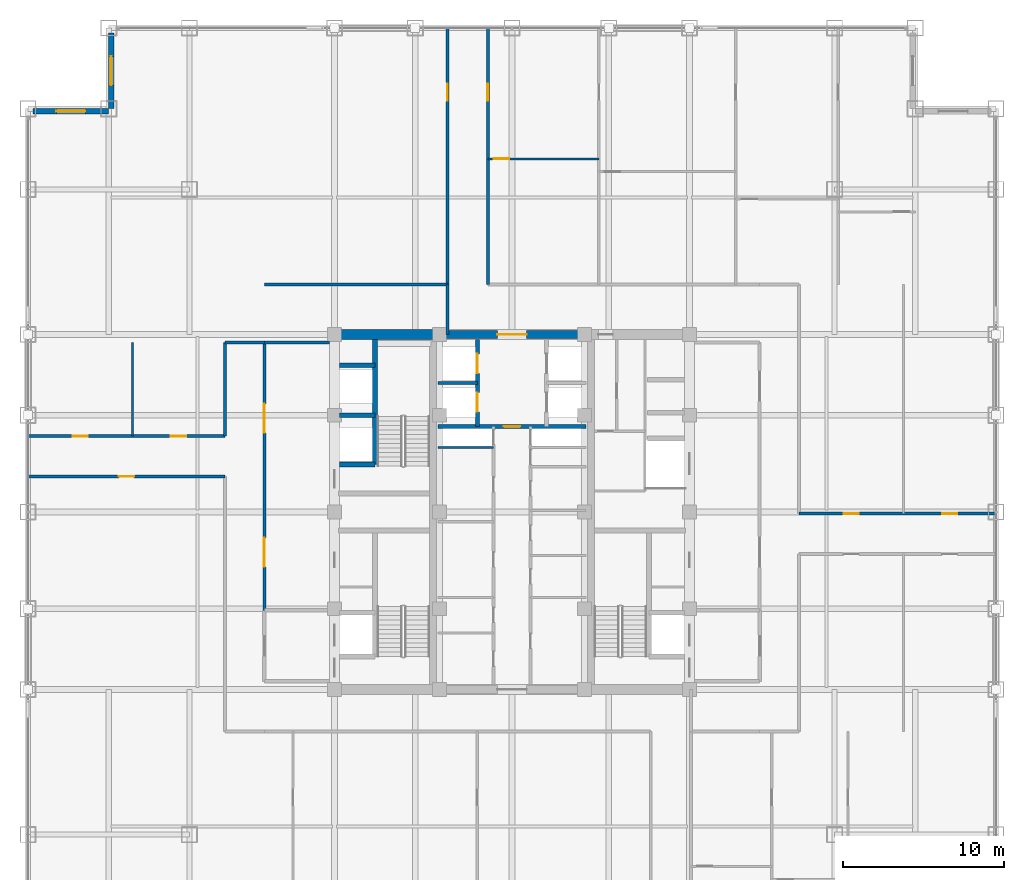
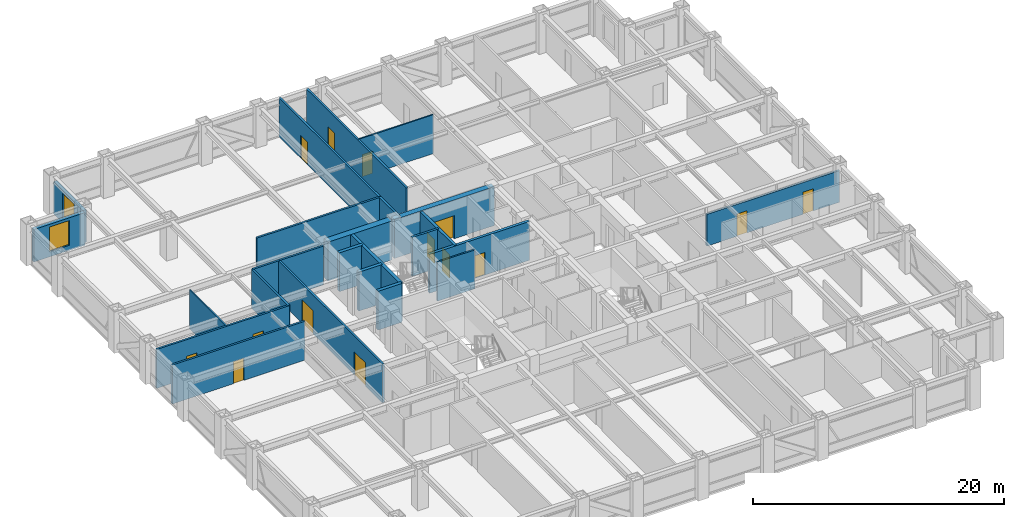
# One storey, part 22 of 25: 25 walls, 14 doors, 2 windows, 16 openings.
"""IFC4 building model written with IfcOpenShell, lengths in metres."""

from ifc_helpers import new_model, si_unit, direction, frame, frame_2d, origin, place, context, subcontext, project, spatial, rectangle, extrude, source, transform, mapped, material, layer, layer_set, type_object, element, fill, save


model = new_model("IFC4")

# Units and contexts
model_context = context("Model", 3, precision=1e-05, world=origin(), true_north=direction((0.0, 1.0)))
body_context = subcontext(model_context, "Body", "Model", "MODEL_VIEW")
ifc_project = project(units=[si_unit("LENGTHUNIT", "METRE"), si_unit("AREAUNIT", "SQUARE_METRE"), si_unit("VOLUMEUNIT", "CUBIC_METRE"), si_unit("PLANEANGLEUNIT", "RADIAN"), si_unit("MASSUNIT", "GRAM", prefix="KILO")], contexts=[model_context])

# Site, building, storey
site_placement = place(None, origin())
site = spatial("IfcSite", under=ifc_project, at=site_placement, CompositionType="ELEMENT")
building_placement = place(site_placement, origin())
building = spatial("IfcBuilding", under=site, at=building_placement, Name="Khorayat Bourse Tower", CompositionType="ELEMENT")
storey_placement = place(building_placement, frame((0.0, 0.0, 251.10009765625)))
storey = spatial("IfcBuildingStorey", under=building, at=storey_placement, Name="L59", CompositionType="ELEMENT", Elevation=251.10009765625)

# Wall, opening, door
ifc_material_1 = material(Name="Concrete C52/65", Category="concrete")
ifc_layer_1 = layer(ifc_material_1, 0.5)
ifc_layer_set_1 = layer_set([ifc_layer_1], Name="Concrete C52/65")
wall_type_1 = type_object("IfcWallType", Name="WAL-CORE-500", PredefinedType="SHEAR", material=ifc_layer_set_1)
shared_shape_1 = source(origin(), body_context, "Body", "SweptSolid", [
    extrude(rectangle(XDim=9.2001953125, YDim=0.5, at=frame_2d((4.60009765625, 0.0))), origin(), (0.0, 0.0, 1.0), 3.77978515625),
])
wall_1_placement = place(storey_placement, frame((-4.60009765625, 11.0, 0.0), z_axis=(0.0, 0.0, 1.0), x_axis=(1.0, 0.0, 0.0)))
wall_1 = element("IfcWall", 1, at=wall_1_placement, inside=storey, type_object=wall_type_1, Name="L59 Core Shear Wall CORE-N", PredefinedType="SHEAR", context=body_context, shape_type="MappedRepresentation", body=[
    mapped(shared_shape_1, transform((0.0, 0.0, 0.0), scale=1.0)),
])
shared_shape_2 = source(origin(), body_context, "Body", "SweptSolid", [
    extrude(rectangle(XDim=1.800048828125, YDim=2.25, at=frame_2d((0.89990234375, 1.125))), frame((0.0, 0.260009765625, 0.0), z_axis=(0.0, -1.0, 0.0), x_axis=(1.0, 0.0, 0.0)), (0.0, 0.0, 1.0), 0.52001953125),
])
opening_1_placement = place(wall_1_placement, frame((3.699951171875, 0.0, 0.0)))
opening_1 = element("IfcOpeningElement", 2, at=opening_1_placement, cuts=wall_1, Name="Opening DI-03", PredefinedType="OPENING", context=body_context, shape_type="MappedRepresentation", body=[
    mapped(shared_shape_2, transform((0.0, 0.0, 0.0), scale=1.0)),
])
ifc_material_2 = material(Name="Fire-rated hardwood vision-panel double leaf", Category="wood")
door_type_1 = type_object("IfcDoorType", Name="DR-INT-CORR-1800", OperationType="NOTDEFINED", PredefinedType="DOOR", material=ifc_material_2)
shared_shape_3 = source(origin(), body_context, "Body", "SweptSolid", [
    extrude(rectangle(XDim=1.800048828125, YDim=2.25, at=frame_2d((0.89990234375, 1.125))), frame((0.0, 0.02490234375, 0.0), z_axis=(0.0, -1.0, 0.0), x_axis=(1.0, 0.0, 0.0)), (0.0, 0.0, 1.0), 0.050048828125),
])
door_1_placement = place(opening_1_placement, origin())
door_1 = element("IfcDoor", 3, at=door_1_placement, inside=storey, type_object=door_type_1, Name="L59 Mid-Rise Lift Lobby Door", OperationType="SINGLE_SWING_RIGHT", OverallHeight=2.25, OverallWidth=1.800048828125, PredefinedType="DOOR", context=body_context, shape_type="MappedRepresentation", body=[
    mapped(shared_shape_3, transform((0.0, 0.0, 0.0), scale=1.0)),
])
fill(opening_1, door_1)

# Wall
ifc_material_3 = material(Name="Concrete C60/75", Category="concrete")
ifc_layer_2 = layer(ifc_material_3, 0.60009765625)
ifc_layer_set_2 = layer_set([ifc_layer_2], Name="Concrete C60/75")
wall_type_2 = type_object("IfcWallType", Name="WAL-CORE-600", PredefinedType="SHEAR", material=ifc_layer_set_2)
shared_shape_4 = source(origin(), body_context, "Body", "SweptSolid", [
    extrude(rectangle(XDim=5.89990234375, YDim=0.60009765625, at=frame_2d((2.949951171875, 0.0))), origin(), (0.0, 0.0, 1.0), 3.77978515625),
])
wall_2_placement = place(storey_placement, frame((-10.75, 11.0, 0.0), z_axis=(0.0, 0.0, 1.0), x_axis=(1.0, 0.0, 0.0)))
element("IfcWall", 4, at=wall_2_placement, inside=storey, type_object=wall_type_2, Name="L59 Core Shear Wall PIER-WN", PredefinedType="SHEAR", context=body_context, shape_type="MappedRepresentation", body=[
    mapped(shared_shape_4, transform((0.0, 0.0, 0.0), scale=1.0)),
])

# Wall, opening, window
ifc_material_4 = material(Name="Precast concrete C45/55", Category="concrete")
ifc_layer_3 = layer(ifc_material_4, 0.320068359375)
ifc_layer_set_3 = layer_set([ifc_layer_3], Name="Precast concrete C45/55")
wall_type_3 = type_object("IfcWallType", Name="WAL-EXT-STONE-320", PredefinedType="STANDARD", material=ifc_layer_set_3)
shared_shape_5 = source(origin(), body_context, "Body", "SweptSolid", [
    extrude(rectangle(XDim=4.679931640625, YDim=0.320068359375, at=frame_2d((2.33984375, 0.0))), origin(), (0.0, 0.0, 1.0), 3.163818359375),
])
wall_3_placement = place(storey_placement, frame((-24.840087890625, 25.0, 0.0), z_axis=(0.0, 0.0, 1.0), x_axis=(0.0, 1.0, 0.0)))
wall_3 = element("IfcWall", 5, at=wall_3_placement, inside=storey, type_object=wall_type_3, Name="L59 Re-Entrant Notch Limestone Wall NW-V", PredefinedType="STANDARD", context=body_context, shape_type="MappedRepresentation", body=[
    mapped(shared_shape_5, transform((0.0, 0.0, 0.0), scale=1.0)),
])
shared_shape_6 = source(origin(), body_context, "Body", "SweptSolid", [
    extrude(rectangle(XDim=1.800048828125, YDim=2.39990234375, at=frame_2d((0.89990234375, 1.199951171875))), frame((0.0, 0.169921875, 0.0), z_axis=(0.0, -1.0, 0.0), x_axis=(1.0, 0.0, 0.0)), (0.0, 0.0, 1.0), 0.340087890625),
])
opening_2_placement = place(wall_3_placement, frame((1.43994140625, 0.0, 0.5)))
opening_2 = element("IfcOpeningElement", 6, at=opening_2_placement, cuts=wall_3, Name="Opening WN-04", PredefinedType="OPENING", context=body_context, shape_type="MappedRepresentation", body=[
    mapped(shared_shape_6, transform((0.0, 0.0, 0.0), scale=1.0)),
])
ifc_material_5 = material(Name="Low-E acoustic laminated double glazing", Category="glass")
window_type = type_object("IfcWindowType", Name="WIN-NOTCH-1800x2400", PartitioningType="SINGLE_PANEL", PredefinedType="WINDOW", material=ifc_material_5)
shared_shape_7 = source(origin(), body_context, "Body", "SweptSolid", [
    extrude(rectangle(XDim=1.800048828125, YDim=2.39990234375, at=frame_2d((0.89990234375, 1.199951171875))), frame((0.0, 0.030029296875, 0.0), z_axis=(0.0, -1.0, 0.0), x_axis=(1.0, 0.0, 0.0)), (0.0, 0.0, 1.0), 0.06005859375),
])
window_1_placement = place(opening_2_placement, origin())
window_1 = element("IfcWindow", 7, at=window_1_placement, inside=storey, type_object=window_type, Name="L59 Facade Window 1", OverallHeight=2.39990234375, OverallWidth=1.800048828125, PartitioningType="SINGLE_PANEL", PredefinedType="WINDOW", context=body_context, shape_type="MappedRepresentation", body=[
    mapped(shared_shape_7, transform((0.0, 0.0, 0.0), scale=1.0)),
])
fill(opening_2, window_1)

wall_4_placement = place(storey_placement, frame((-25.0, 24.840087890625, 0.0), z_axis=(0.0, 0.0, 1.0), x_axis=(-1.0, 0.0, 0.0)))
wall_4 = element("IfcWall", 8, at=wall_4_placement, inside=storey, type_object=wall_type_3, Name="L59 Re-Entrant Notch Limestone Wall NW-H", PredefinedType="STANDARD", context=body_context, shape_type="MappedRepresentation", body=[
    mapped(shared_shape_5, transform((0.0, 0.0, 0.0), scale=1.0)),
])
opening_3_placement = place(wall_4_placement, frame((1.43994140625, 0.0, 0.5)))
opening_3 = element("IfcOpeningElement", 9, at=opening_3_placement, cuts=wall_4, Name="Opening WN-04", PredefinedType="OPENING", context=body_context, shape_type="MappedRepresentation", body=[
    mapped(shared_shape_6, transform((0.0, 0.0, 0.0), scale=1.0)),
])
window_2_placement = place(opening_3_placement, origin())
window_2 = element("IfcWindow", 10, at=window_2_placement, inside=storey, type_object=window_type, Name="L59 Facade Window 1", OverallHeight=2.39990234375, OverallWidth=1.800048828125, PartitioningType="SINGLE_PANEL", PredefinedType="WINDOW", context=body_context, shape_type="MappedRepresentation", body=[
    mapped(shared_shape_7, transform((0.0, 0.0, 0.0), scale=1.0)),
])
fill(opening_3, window_2)

# Walls
ifc_material_6 = material(Name="Concrete C50/60", Category="concrete")
ifc_layer_4 = layer(ifc_material_6, 0.300048828125)
ifc_layer_set_4 = layer_set([ifc_layer_4], Name="Concrete C50/60")
wall_type_4 = type_object("IfcWallType", Name="WAL-SHAFT-300", PredefinedType="SHEAR", material=ifc_layer_set_4)
shared_shape_8 = source(origin(), body_context, "Body", "SweptSolid", [
    extrude(rectangle(XDim=2.199951171875, YDim=0.300048828125, at=frame_2d((1.10009765625, 0.0))), origin(), (0.0, 0.0, 1.0), 3.77978515625),
])
for number, where, z_axis, x_axis, name in (
    (11, (-10.699951171875, 2.949951171875, 0.0), (0.0, 0.0, 1.0), (1.0, 0.0, 0.0), "L59 Partition WAL-L59-WPIER-H1S"),
    (12, (-10.699951171875, 6.0, 0.0), (0.0, 0.0, 1.0), (1.0, 0.0, 0.0), "L59 Partition WAL-L59-WPIER-H12"),
    (13, (-10.699951171875, 9.10009765625, 0.0), (0.0, 0.0, 1.0), (1.0, 0.0, 0.0), "L59 Partition WAL-L59-WPIER-H2N"),
):
    element("IfcWall", number, at=place(storey_placement, frame(where, z_axis=z_axis, x_axis=x_axis)), inside=storey, type_object=wall_type_4, Name=name, PredefinedType="SHEAR", context=body_context, shape_type="MappedRepresentation", body=[
        mapped(shared_shape_8, transform((0.0, 0.0, 0.0), scale=1.0)),
    ])
shared_shape_9 = source(origin(), body_context, "Body", "SweptSolid", [
    extrude(rectangle(XDim=7.75, YDim=0.300048828125, at=frame_2d((3.875, 0.0))), origin(), (0.0, 0.0, 1.0), 3.77978515625),
])
wall_5_placement = place(storey_placement, frame((-8.5, 2.949951171875, 0.0), z_axis=(0.0, 0.0, 1.0), x_axis=(0.0, 1.0, 0.0)))
element("IfcWall", 14, at=wall_5_placement, inside=storey, type_object=wall_type_4, Name="L59 Partition WAL-L59-WPIER-ST2S", PredefinedType="SHEAR", context=body_context, shape_type="MappedRepresentation", body=[
    mapped(shared_shape_9, transform((0.0, 0.0, 0.0), scale=1.0)),
])
ifc_material_7 = material(Name="Gypsum plasterboard acoustic stud wall")
ifc_layer_5 = layer(ifc_material_7, 0.179931640625)
ifc_layer_set_5 = layer_set([ifc_layer_5], Name="Gypsum plasterboard acoustic stud wall")
wall_type_5 = type_object("IfcWallType", Name="WAL-PART-CORR-180", PredefinedType="PARTITIONING", material=ifc_layer_set_5)
shared_shape_10 = source(origin(), body_context, "Body", "SweptSolid", [
    extrude(rectangle(XDim=4.050048828125, YDim=0.179931640625, at=frame_2d((2.02490234375, 0.0))), origin(), (0.0, 0.0, 1.0), 3.77978515625),
])
wall_6_placement = place(storey_placement, frame((-15.35009765625, 10.5, 0.0), z_axis=(0.0, 0.0, 1.0), x_axis=(1.0, 0.0, 0.0)))
element("IfcWall", 15, at=wall_6_placement, inside=storey, type_object=wall_type_5, Name="L59 Partition WAL-L59-WLOB-N", PredefinedType="PARTITIONING", context=body_context, shape_type="MappedRepresentation", body=[
    mapped(shared_shape_10, transform((0.0, 0.0, 0.0), scale=1.0)),
])

# Wall, openings, doors
shared_shape_11 = source(origin(), body_context, "Body", "SweptSolid", [
    extrude(rectangle(XDim=16.60009765625, YDim=0.179931640625, at=frame_2d((8.300048828125, 0.0))), origin(), (0.0, 0.0, 1.0), 3.77978515625),
])
wall_7_placement = place(storey_placement, frame((-15.35009765625, -6.10009765625, 0.0), z_axis=(0.0, 0.0, 1.0), x_axis=(0.0, 1.0, 0.0)))
wall_7 = element("IfcWall", 16, at=wall_7_placement, inside=storey, type_object=wall_type_5, Name="L59 Partition WAL-L59-WLOB-W", PredefinedType="PARTITIONING", context=body_context, shape_type="MappedRepresentation", body=[
    mapped(shared_shape_11, transform((0.0, 0.0, 0.0), scale=1.0)),
])
shared_shape_12 = source(origin(), body_context, "Body", "SweptSolid", [
    extrude(rectangle(XDim=1.800048828125, YDim=2.25, at=frame_2d((0.89990234375, 1.125))), frame((0.0, 0.099853515625, 0.0), z_axis=(0.0, -1.0, 0.0), x_axis=(1.0, 0.0, 0.0)), (0.0, 0.0, 1.0), 0.199951171875),
])
opening_4_placement = place(wall_7_placement, frame((2.699951171875, 0.0, 0.0)))
opening_4 = element("IfcOpeningElement", 17, at=opening_4_placement, cuts=wall_7, Name="Opening DI-03", PredefinedType="OPENING", context=body_context, shape_type="MappedRepresentation", body=[
    mapped(shared_shape_12, transform((0.0, 0.0, 0.0), scale=1.0)),
])
opening_5_placement = place(wall_7_placement, frame((11.0, 0.0, 0.0)))
opening_5 = element("IfcOpeningElement", 18, at=opening_5_placement, cuts=wall_7, Name="Opening DI-03", PredefinedType="OPENING", context=body_context, shape_type="MappedRepresentation", body=[
    mapped(shared_shape_12, transform((0.0, 0.0, 0.0), scale=1.0)),
])
door_2_placement = place(opening_4_placement, origin())
door_2 = element("IfcDoor", 19, at=door_2_placement, inside=storey, type_object=door_type_1, Name="L59 West Core Lobby South Door", OperationType="SINGLE_SWING_LEFT", OverallHeight=2.25, OverallWidth=1.800048828125, PredefinedType="DOOR", context=body_context, shape_type="MappedRepresentation", body=[
    mapped(shared_shape_3, transform((0.0, 0.0, 0.0), scale=1.0)),
])
fill(opening_4, door_2)
door_3_placement = place(opening_5_placement, origin())
door_3 = element("IfcDoor", 20, at=door_3_placement, inside=storey, type_object=door_type_1, Name="L59 West Core Lobby North Door", OperationType="SINGLE_SWING_RIGHT", OverallHeight=2.25, OverallWidth=1.800048828125, PredefinedType="DOOR", context=body_context, shape_type="MappedRepresentation", body=[
    mapped(shared_shape_3, transform((0.0, 0.0, 0.0), scale=1.0)),
])
fill(opening_5, door_3)

# Wall
ifc_material_8 = material(Name="Gypsum plasterboard twin-frame partition")
ifc_layer_6 = layer(ifc_material_8, 0.14990234375)
ifc_layer_set_6 = layer_set([ifc_layer_6], Name="Gypsum plasterboard twin-frame partition")
wall_type_6 = type_object("IfcWallType", Name="WAL-PART-SUITE-150", PredefinedType="PARTITIONING", material=ifc_layer_set_6)
shared_shape_13 = source(origin(), body_context, "Body", "SweptSolid", [
    extrude(rectangle(XDim=3.4501953125, YDim=0.14990234375, at=frame_2d((1.72509765625, 0.0))), origin(), (0.0, 0.0, 1.0), 3.77978515625),
])
wall_8_placement = place(storey_placement, frame((-4.60009765625, 4.0, 0.0), z_axis=(0.0, 0.0, 1.0), x_axis=(1.0, 0.0, 0.0)))
element("IfcWall", 21, at=wall_8_placement, inside=storey, type_object=wall_type_6, Name="L59 Partition WAL-L59-CRSW-S", PredefinedType="PARTITIONING", context=body_context, shape_type="MappedRepresentation", body=[
    mapped(shared_shape_13, transform((0.0, 0.0, 0.0), scale=1.0)),
])

# Wall, openings, doors
shared_shape_14 = source(origin(), body_context, "Body", "SweptSolid", [
    extrude(rectangle(XDim=5.39990234375, YDim=0.25, at=frame_2d((2.699951171875, 0.0))), origin(), (0.0, 0.0, 1.0), 3.77978515625),
])
wall_9_placement = place(storey_placement, frame((-2.14990234375, 5.300048828125, 0.0), z_axis=(0.0, 0.0, 1.0), x_axis=(0.0, 1.0, 0.0)))
wall_9 = element("IfcWall", 22, at=wall_9_placement, inside=storey, type_object=wall_type_4, Name="L59 Partition WAL-L59-B2-W", PredefinedType="SHEAR", context=body_context, shape_type="MappedRepresentation", body=[
    mapped(shared_shape_14, transform((0.0, 0.0, 0.0), scale=1.0)),
])
shared_shape_15 = source(origin(), body_context, "Body", "SweptSolid", [
    extrude(rectangle(XDim=1.199951171875, YDim=2.300048828125, at=frame_2d((0.60009765625, 1.14990234375))), frame((0.0, 0.135009765625, 0.0), z_axis=(0.0, -1.0, 0.0), x_axis=(1.0, 0.0, 0.0)), (0.0, 0.0, 1.0), 0.27001953125),
])
opening_6_placement = place(wall_9_placement, frame((3.300048828125, 0.0, 0.0)))
opening_6 = element("IfcOpeningElement", 23, at=opening_6_placement, cuts=wall_9, Name="Opening LD-01", PredefinedType="OPENING", context=body_context, shape_type="MappedRepresentation", body=[
    mapped(shared_shape_15, transform((0.0, 0.0, 0.0), scale=1.0)),
])
opening_7_placement = place(wall_9_placement, frame((0.89990234375, 0.0, 0.0)))
opening_7 = element("IfcOpeningElement", 24, at=opening_7_placement, cuts=wall_9, Name="Opening LD-01", PredefinedType="OPENING", context=body_context, shape_type="MappedRepresentation", body=[
    mapped(shared_shape_15, transform((0.0, 0.0, 0.0), scale=1.0)),
])
ifc_material_9 = material(Name="Brushed bronze stainless-steel sliding door", Category="steel")
door_type_2 = type_object("IfcDoorType", Name="DR-LIFT-PASS-1200", OperationType="NOTDEFINED", PredefinedType="DOOR", material=ifc_material_9)
shared_shape_16 = source(origin(), body_context, "Body", "SweptSolid", [
    extrude(rectangle(XDim=1.199951171875, YDim=2.300048828125, at=frame_2d((0.60009765625, 1.14990234375))), frame((0.0, 0.02490234375, 0.0), z_axis=(0.0, -1.0, 0.0), x_axis=(1.0, 0.0, 0.0)), (0.0, 0.0, 1.0), 0.050048828125),
])
door_4_placement = place(opening_6_placement, origin())
door_4 = element("IfcDoor", 25, at=door_4_placement, inside=storey, type_object=door_type_2, Name="L59 Lift PL-M1 Sliding Landing Door", OperationType="SLIDING_TO_LEFT", OverallHeight=2.300048828125, OverallWidth=1.199951171875, PredefinedType="DOOR", context=body_context, shape_type="MappedRepresentation", body=[
    mapped(shared_shape_16, transform((0.0, 0.0, 0.0), scale=1.0)),
])
fill(opening_6, door_4)
door_5_placement = place(opening_7_placement, origin())
door_5 = element("IfcDoor", 26, at=door_5_placement, inside=storey, type_object=door_type_2, Name="L59 Lift PL-M3 Sliding Landing Door", OperationType="SLIDING_TO_LEFT", OverallHeight=2.300048828125, OverallWidth=1.199951171875, PredefinedType="DOOR", context=body_context, shape_type="MappedRepresentation", body=[
    mapped(shared_shape_16, transform((0.0, 0.0, 0.0), scale=1.0)),
])
fill(opening_7, door_5)

# Wall
shared_shape_17 = source(origin(), body_context, "Body", "SweptSolid", [
    extrude(rectangle(XDim=2.4501953125, YDim=0.199951171875, at=frame_2d((1.22509765625, 0.0))), origin(), (0.0, 0.0, 1.0), 3.77978515625),
])
wall_10_placement = place(storey_placement, frame((-4.60009765625, 8.0, 0.0), z_axis=(0.0, 0.0, 1.0), x_axis=(1.0, 0.0, 0.0)))
element("IfcWall", 27, at=wall_10_placement, inside=storey, type_object=wall_type_4, Name="L59 Partition WAL-L59-B2-MW", PredefinedType="SHEAR", context=body_context, shape_type="MappedRepresentation", body=[
    mapped(shared_shape_17, transform((0.0, 0.0, 0.0), scale=1.0)),
])

# Wall, opening, door
shared_shape_18 = source(origin(), body_context, "Body", "SweptSolid", [
    extrude(rectangle(XDim=9.2001953125, YDim=0.25, at=frame_2d((4.60009765625, 0.0))), origin(), (0.0, 0.0, 1.0), 3.77978515625),
])
wall_11_placement = place(storey_placement, frame((-4.60009765625, 5.300048828125, 0.0), z_axis=(0.0, 0.0, 1.0), x_axis=(1.0, 0.0, 0.0)))
wall_11 = element("IfcWall", 28, at=wall_11_placement, inside=storey, type_object=wall_type_4, Name="L59 Partition WAL-L59-B2-S", PredefinedType="SHEAR", context=body_context, shape_type="MappedRepresentation", body=[
    mapped(shared_shape_18, transform((0.0, 0.0, 0.0), scale=1.0)),
])
shared_shape_19 = source(origin(), body_context, "Body", "SweptSolid", [
    extrude(rectangle(XDim=1.050048828125, YDim=2.199951171875, at=frame_2d((0.52490234375, 1.10009765625))), frame((0.0, 0.135009765625, 0.0), z_axis=(0.0, -1.0, 0.0), x_axis=(1.0, 0.0, 0.0)), (0.0, 0.0, 1.0), 0.27001953125),
])
opening_8_placement = place(wall_11_placement, frame((4.074951171875, 0.0, 0.0)))
opening_8 = element("IfcOpeningElement", 29, at=opening_8_placement, cuts=wall_11, Name="Opening DI-04", PredefinedType="OPENING", context=body_context, shape_type="MappedRepresentation", body=[
    mapped(shared_shape_19, transform((0.0, 0.0, 0.0), scale=1.0)),
])
ifc_material_10 = material(Name="Fire-rated oak veneer suite entrance door")
door_type_3 = type_object("IfcDoorType", Name="DR-INT-SUITE-1050", OperationType="NOTDEFINED", PredefinedType="DOOR", material=ifc_material_10)
shared_shape_20 = source(origin(), body_context, "Body", "SweptSolid", [
    extrude(rectangle(XDim=1.050048828125, YDim=2.199951171875, at=frame_2d((0.52490234375, 1.10009765625))), frame((0.0, 0.02490234375, 0.0), z_axis=(0.0, -1.0, 0.0), x_axis=(1.0, 0.0, 0.0)), (0.0, 0.0, 1.0), 0.050048828125),
])
door_6_placement = place(opening_8_placement, origin())
door_6 = element("IfcDoor", 30, at=door_6_placement, inside=storey, type_object=door_type_3, Name="L59 Core Spine North Door", OperationType="SINGLE_SWING_RIGHT", OverallHeight=2.199951171875, OverallWidth=1.050048828125, PredefinedType="DOOR", context=body_context, shape_type="MappedRepresentation", body=[
    mapped(shared_shape_20, transform((0.0, 0.0, 0.0), scale=1.0)),
])
fill(opening_8, door_6)

# Wall
shared_shape_21 = source(origin(), body_context, "Body", "SweptSolid", [
    extrude(rectangle(XDim=2.449951171875, YDim=0.179931640625, at=frame_2d((1.22509765625, 0.0))), origin(), (0.0, 0.0, 1.0), 3.77978515625),
])
wall_12_placement = place(storey_placement, frame((-17.800048828125, 10.5, 0.0), z_axis=(0.0, 0.0, 1.0), x_axis=(1.0, 0.0, 0.0)))
element("IfcWall", 31, at=wall_12_placement, inside=storey, type_object=wall_type_5, Name="L59 Partition WAL-L59-C2-WN", PredefinedType="PARTITIONING", context=body_context, shape_type="MappedRepresentation", body=[
    mapped(shared_shape_21, transform((0.0, 0.0, 0.0), scale=1.0)),
])

# Wall, opening, door
shared_shape_22 = source(origin(), body_context, "Body", "SweptSolid", [
    extrude(rectangle(XDim=12.199951171875, YDim=0.179931640625, at=frame_2d((6.10009765625, 0.0))), origin(), (0.0, 0.0, 1.0), 3.77978515625),
])
wall_13_placement = place(storey_placement, frame((-30.0, 2.199951171875, 0.0), z_axis=(0.0, 0.0, 1.0), x_axis=(1.0, 0.0, 0.0)))
wall_13 = element("IfcWall", 32, at=wall_13_placement, inside=storey, type_object=wall_type_5, Name="L59 Partition WAL-L59-WS-SPK", PredefinedType="PARTITIONING", context=body_context, shape_type="MappedRepresentation", body=[
    mapped(shared_shape_22, transform((0.0, 0.0, 0.0), scale=1.0)),
])
shared_shape_23 = source(origin(), body_context, "Body", "SweptSolid", [
    extrude(rectangle(XDim=0.949951171875, YDim=2.14990234375, at=frame_2d((0.47509765625, 1.074951171875))), frame((0.0, 0.099853515625, 0.0), z_axis=(0.0, -1.0, 0.0), x_axis=(1.0, 0.0, 0.0)), (0.0, 0.0, 1.0), 0.199951171875),
])
opening_9_placement = place(wall_13_placement, frame((5.625, 0.0, 0.0)))
opening_9 = element("IfcOpeningElement", 33, at=opening_9_placement, cuts=wall_13, Name="Opening DI-05", PredefinedType="OPENING", context=body_context, shape_type="MappedRepresentation", body=[
    mapped(shared_shape_23, transform((0.0, 0.0, 0.0), scale=1.0)),
])
ifc_material_11 = material(Name="Acoustic oak veneer office door")
door_type_4 = type_object("IfcDoorType", Name="DR-INT-OFFICE-950", OperationType="NOTDEFINED", PredefinedType="DOOR", material=ifc_material_11)
shared_shape_24 = source(origin(), body_context, "Body", "SweptSolid", [
    extrude(rectangle(XDim=0.949951171875, YDim=2.14990234375, at=frame_2d((0.47509765625, 1.074951171875))), frame((0.0, 0.02490234375, 0.0), z_axis=(0.0, -1.0, 0.0), x_axis=(1.0, 0.0, 0.0)), (0.0, 0.0, 1.0), 0.050048828125),
])
door_7_placement = place(opening_9_placement, origin())
door_7 = element("IfcDoor", 34, at=door_7_placement, inside=storey, type_object=door_type_4, Name="L59 Members Club Room WS Door", OperationType="SINGLE_SWING_LEFT", OverallHeight=2.14990234375, OverallWidth=0.949951171875, PredefinedType="DOOR", context=body_context, shape_type="MappedRepresentation", body=[
    mapped(shared_shape_24, transform((0.0, 0.0, 0.0), scale=1.0)),
])
fill(opening_9, door_7)

# Wall, openings, doors
wall_14_placement = place(storey_placement, frame((-30.0, 4.699951171875, 0.0), z_axis=(0.0, 0.0, 1.0), x_axis=(1.0, 0.0, 0.0)))
wall_14 = element("IfcWall", 35, at=wall_14_placement, inside=storey, type_object=wall_type_5, Name="L59 Partition WAL-L59-WN-SPK", PredefinedType="PARTITIONING", context=body_context, shape_type="MappedRepresentation", body=[
    mapped(shared_shape_22, transform((0.0, 0.0, 0.0), scale=1.0)),
])
opening_10_placement = place(wall_14_placement, frame((2.758056640625, 0.0, 0.0)))
opening_10 = element("IfcOpeningElement", 36, at=opening_10_placement, cuts=wall_14, Name="Opening DI-05", PredefinedType="OPENING", context=body_context, shape_type="MappedRepresentation", body=[
    mapped(shared_shape_23, transform((0.0, 0.0, 0.0), scale=1.0)),
])
opening_11_placement = place(wall_14_placement, frame((8.85791015625, 0.0, 0.0)))
opening_11 = element("IfcOpeningElement", 37, at=opening_11_placement, cuts=wall_14, Name="Opening DI-05", PredefinedType="OPENING", context=body_context, shape_type="MappedRepresentation", body=[
    mapped(shared_shape_23, transform((0.0, 0.0, 0.0), scale=1.0)),
])
door_8_placement = place(opening_10_placement, origin())
door_8 = element("IfcDoor", 38, at=door_8_placement, inside=storey, type_object=door_type_4, Name="L59 Staff Tea Pantry WNA Door", OperationType="SINGLE_SWING_LEFT", OverallHeight=2.14990234375, OverallWidth=0.949951171875, PredefinedType="DOOR", context=body_context, shape_type="MappedRepresentation", body=[
    mapped(shared_shape_24, transform((0.0, 0.0, 0.0), scale=1.0)),
])
fill(opening_10, door_8)
door_9_placement = place(opening_11_placement, origin())
door_9 = element("IfcDoor", 39, at=door_9_placement, inside=storey, type_object=door_type_4, Name="L59 Quantitative Research Study WNB Door", OperationType="SINGLE_SWING_RIGHT", OverallHeight=2.14990234375, OverallWidth=0.949951171875, PredefinedType="DOOR", context=body_context, shape_type="MappedRepresentation", body=[
    mapped(shared_shape_24, transform((0.0, 0.0, 0.0), scale=1.0)),
])
fill(opening_11, door_9)

# Wall
shared_shape_25 = source(origin(), body_context, "Body", "SweptSolid", [
    extrude(rectangle(XDim=3.10009765625, YDim=0.179931640625, at=frame_2d((1.550048828125, 0.0))), origin(), (0.0, 0.0, 1.0), 3.77978515625),
])
wall_15_placement = place(storey_placement, frame((-4.0, 11.0, 0.0), z_axis=(0.0, 0.0, 1.0), x_axis=(0.0, 1.0, 0.0)))
element("IfcWall", 40, at=wall_15_placement, inside=storey, type_object=wall_type_5, Name="L59 Partition WAL-L59-C2-NCW", PredefinedType="PARTITIONING", context=body_context, shape_type="MappedRepresentation", body=[
    mapped(shared_shape_25, transform((0.0, 0.0, 0.0), scale=1.0)),
])

# Wall, opening, door
shared_shape_26 = source(origin(), body_context, "Body", "SweptSolid", [
    extrude(rectangle(XDim=15.89990234375, YDim=0.179931640625, at=frame_2d((7.949951171875, 0.0))), origin(), (0.0, 0.0, 1.0), 3.77978515625),
])
wall_16_placement = place(storey_placement, frame((-4.0, 14.10009765625, 0.0), z_axis=(0.0, 0.0, 1.0), x_axis=(0.0, 1.0, 0.0)))
wall_16 = element("IfcWall", 41, at=wall_16_placement, inside=storey, type_object=wall_type_5, Name="L59 Partition WAL-L59-QNW-SPK", PredefinedType="PARTITIONING", context=body_context, shape_type="MappedRepresentation", body=[
    mapped(shared_shape_26, transform((0.0, 0.0, 0.0), scale=1.0)),
])
shared_shape_27 = source(origin(), body_context, "Body", "SweptSolid", [
    extrude(rectangle(XDim=1.050048828125, YDim=2.199951171875, at=frame_2d((0.52490234375, 1.10009765625))), frame((0.0, 0.099853515625, 0.0), z_axis=(0.0, -1.0, 0.0), x_axis=(1.0, 0.0, 0.0)), (0.0, 0.0, 1.0), 0.199951171875),
])
opening_12_placement = place(wall_16_placement, frame((11.39990234375, 0.0, 0.0)))
opening_12 = element("IfcOpeningElement", 42, at=opening_12_placement, cuts=wall_16, Name="Opening DI-04", PredefinedType="OPENING", context=body_context, shape_type="MappedRepresentation", body=[
    mapped(shared_shape_27, transform((0.0, 0.0, 0.0), scale=1.0)),
])
door_10_placement = place(opening_12_placement, origin())
door_10 = element("IfcDoor", 43, at=door_10_placement, inside=storey, type_object=door_type_3, Name="L59 North-West Radial Spoke Entry", OperationType="SINGLE_SWING_LEFT", OverallHeight=2.199951171875, OverallWidth=1.050048828125, PredefinedType="DOOR", context=body_context, shape_type="MappedRepresentation", body=[
    mapped(shared_shape_20, transform((0.0, 0.0, 0.0), scale=1.0)),
])
fill(opening_12, door_10)

wall_17_placement = place(storey_placement, frame((-1.5, 14.10009765625, 0.0), z_axis=(0.0, 0.0, 1.0), x_axis=(0.0, 1.0, 0.0)))
wall_17 = element("IfcWall", 44, at=wall_17_placement, inside=storey, type_object=wall_type_5, Name="L59 Partition WAL-L59-QNE-SPK", PredefinedType="PARTITIONING", context=body_context, shape_type="MappedRepresentation", body=[
    mapped(shared_shape_26, transform((0.0, 0.0, 0.0), scale=1.0)),
])
opening_13_placement = place(wall_17_placement, frame((11.39990234375, 0.0, 0.0)))
opening_13 = element("IfcOpeningElement", 45, at=opening_13_placement, cuts=wall_17, Name="Opening DI-04", PredefinedType="OPENING", context=body_context, shape_type="MappedRepresentation", body=[
    mapped(shared_shape_27, transform((0.0, 0.0, 0.0), scale=1.0)),
])
door_11_placement = place(opening_13_placement, origin())
door_11 = element("IfcDoor", 46, at=door_11_placement, inside=storey, type_object=door_type_3, Name="L59 North-East Radial Spoke Entry", OperationType="SINGLE_SWING_LEFT", OverallHeight=2.199951171875, OverallWidth=1.050048828125, PredefinedType="DOOR", context=body_context, shape_type="MappedRepresentation", body=[
    mapped(shared_shape_20, transform((0.0, 0.0, 0.0), scale=1.0)),
])
fill(opening_13, door_11)

# Walls
shared_shape_28 = source(origin(), body_context, "Body", "SweptSolid", [
    extrude(rectangle(XDim=5.800048828125, YDim=0.179931640625, at=frame_2d((2.89990234375, 0.0))), origin(), (0.0, 0.0, 1.0), 3.77978515625),
])
wall_18_placement = place(storey_placement, frame((-17.800048828125, 4.699951171875, 0.0), z_axis=(0.0, 0.0, 1.0), x_axis=(0.0, 1.0, 0.0)))
element("IfcWall", 47, at=wall_18_placement, inside=storey, type_object=wall_type_5, Name="L59 Partition WAL-L59-WN-IN", PredefinedType="PARTITIONING", context=body_context, shape_type="MappedRepresentation", body=[
    mapped(shared_shape_28, transform((0.0, 0.0, 0.0), scale=1.0)),
])
shared_shape_29 = source(origin(), body_context, "Body", "SweptSolid", [
    extrude(rectangle(XDim=11.35009765625, YDim=0.179931640625, at=frame_2d((5.675048828125, 0.0))), origin(), (0.0, 0.0, 1.0), 3.77978515625),
])
wall_19_placement = place(storey_placement, frame((-15.35009765625, 14.10009765625, 0.0), z_axis=(0.0, 0.0, 1.0), x_axis=(1.0, 0.0, 0.0)))
element("IfcWall", 48, at=wall_19_placement, inside=storey, type_object=wall_type_5, Name="L59 Partition WAL-L59-QNW-HC", PredefinedType="PARTITIONING", context=body_context, shape_type="MappedRepresentation", body=[
    mapped(shared_shape_29, transform((0.0, 0.0, 0.0), scale=1.0)),
])

# Wall, openings, doors
shared_shape_30 = source(origin(), body_context, "Body", "SweptSolid", [
    extrude(rectangle(XDim=12.199951171875, YDim=0.179931640625, at=frame_2d((6.10009765625, 0.0))), origin(), (0.0, 0.0, 1.0), 3.0849609375),
])
wall_20_placement = place(storey_placement, frame((17.800048828125, -0.10009765625, 0.0), z_axis=(0.0, 0.0, 1.0), x_axis=(1.0, 0.0, 0.0)))
wall_20 = element("IfcWall", 49, at=wall_20_placement, inside=storey, type_object=wall_type_5, Name="L59 Partition WAL-L59-EN-SPK", PredefinedType="PARTITIONING", context=body_context, shape_type="MappedRepresentation", body=[
    mapped(shared_shape_30, transform((0.0, 0.0, 0.0), scale=1.0)),
])
opening_14_placement = place(wall_20_placement, frame((2.758056640625, 0.0, 0.0)))
opening_14 = element("IfcOpeningElement", 50, at=opening_14_placement, cuts=wall_20, Name="Opening DI-05", PredefinedType="OPENING", context=body_context, shape_type="MappedRepresentation", body=[
    mapped(shared_shape_23, transform((0.0, 0.0, 0.0), scale=1.0)),
])
opening_15_placement = place(wall_20_placement, frame((8.85791015625, 0.0, 0.0)))
opening_15 = element("IfcOpeningElement", 51, at=opening_15_placement, cuts=wall_20, Name="Opening DI-05", PredefinedType="OPENING", context=body_context, shape_type="MappedRepresentation", body=[
    mapped(shared_shape_23, transform((0.0, 0.0, 0.0), scale=1.0)),
])
door_12_placement = place(opening_14_placement, origin())
door_12 = element("IfcDoor", 52, at=door_12_placement, inside=storey, type_object=door_type_4, Name="L59 Catering Servery Kitchen ENA Door", OperationType="SINGLE_SWING_LEFT", OverallHeight=2.14990234375, OverallWidth=0.949951171875, PredefinedType="DOOR", context=body_context, shape_type="MappedRepresentation", body=[
    mapped(shared_shape_24, transform((0.0, 0.0, 0.0), scale=1.0)),
])
fill(opening_14, door_12)
door_13_placement = place(opening_15_placement, origin())
door_13 = element("IfcDoor", 53, at=door_13_placement, inside=storey, type_object=door_type_4, Name="L59 Clearing Operations Office ENB Door", OperationType="SINGLE_SWING_RIGHT", OverallHeight=2.14990234375, OverallWidth=0.949951171875, PredefinedType="DOOR", context=body_context, shape_type="MappedRepresentation", body=[
    mapped(shared_shape_24, transform((0.0, 0.0, 0.0), scale=1.0)),
])
fill(opening_15, door_13)

# Wall, opening, door
ifc_material_12 = material(Name="Gypsum plasterboard partition")
ifc_layer_7 = layer(ifc_material_12, 0.125)
ifc_layer_set_7 = layer_set([ifc_layer_7], Name="Gypsum plasterboard partition")
wall_type_7 = type_object("IfcWallType", Name="WAL-PART-ROOM-125", PredefinedType="PARTITIONING", material=ifc_layer_set_7)
shared_shape_31 = source(origin(), body_context, "Body", "SweptSolid", [
    extrude(rectangle(XDim=6.889892578125, YDim=0.125, at=frame_2d((3.44482421875, 0.0))), origin(), (0.0, 0.0, 1.0), 3.77978515625),
])
wall_21_placement = place(storey_placement, frame((-1.5, 21.89111328125, 0.0), z_axis=(0.0, 0.0, 1.0), x_axis=(1.0, 0.0, 0.0)))
wall_21 = element("IfcWall", 54, at=wall_21_placement, inside=storey, type_object=wall_type_7, Name="L59 Partition WAL-L59-QNEDP-1", PredefinedType="PARTITIONING", context=body_context, shape_type="MappedRepresentation", body=[
    mapped(shared_shape_31, transform((0.0, 0.0, 0.0), scale=1.0)),
])
shared_shape_32 = source(origin(), body_context, "Body", "SweptSolid", [
    extrude(rectangle(XDim=0.949951171875, YDim=2.14990234375, at=frame_2d((0.47509765625, 1.074951171875))), frame((0.0, 0.072509765625, 0.0), z_axis=(0.0, -1.0, 0.0), x_axis=(1.0, 0.0, 0.0)), (0.0, 0.0, 1.0), 0.14501953125),
])
opening_16_placement = place(wall_21_placement, frame((0.375, 0.0, 0.0)))
opening_16 = element("IfcOpeningElement", 55, at=opening_16_placement, cuts=wall_21, Name="Opening DI-05", PredefinedType="OPENING", context=body_context, shape_type="MappedRepresentation", body=[
    mapped(shared_shape_32, transform((0.0, 0.0, 0.0), scale=1.0)),
])
door_14_placement = place(opening_16_placement, origin())
door_14 = element("IfcDoor", 56, at=door_14_placement, inside=storey, type_object=door_type_4, Name="L59 North-East Catering Servery Kitchen 1B Door", OperationType="SINGLE_SWING_RIGHT", OverallHeight=2.14990234375, OverallWidth=0.949951171875, PredefinedType="DOOR", context=body_context, shape_type="MappedRepresentation", body=[
    mapped(shared_shape_24, transform((0.0, 0.0, 0.0), scale=1.0)),
])
fill(opening_16, door_14)

# Wall
shared_shape_33 = source(origin(), body_context, "Body", "SweptSolid", [
    extrude(rectangle(XDim=5.800048828125, YDim=0.125, at=frame_2d((2.89990234375, 0.0))), origin(), (0.0, 0.0, 1.0), 3.77978515625),
])
wall_22_placement = place(storey_placement, frame((-23.533935546875, 4.699951171875, 0.0), z_axis=(0.0, 0.0, 1.0), x_axis=(0.0, 1.0, 0.0)))
element("IfcWall", 57, at=wall_22_placement, inside=storey, type_object=wall_type_7, Name="L59 Partition WAL-L59-WN-DV", PredefinedType="PARTITIONING", context=body_context, shape_type="MappedRepresentation", body=[
    mapped(shared_shape_33, transform((0.0, 0.0, 0.0), scale=1.0)),
])

save(model, "model.ifc")
